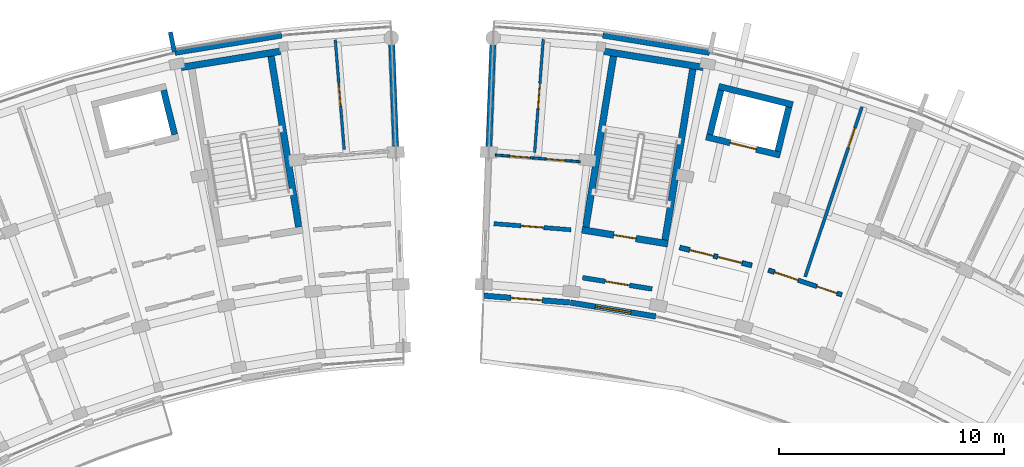
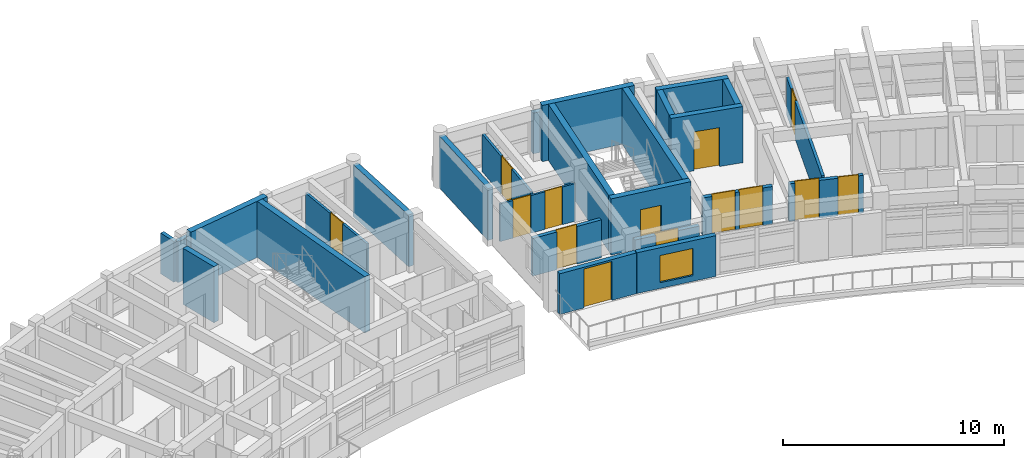
# One storey, part 23 of 38: 26 walls, 14 doors, 1 window, 15 openings.
"""IFC4 building model written with IfcOpenShell, lengths in metres."""

from ifc_helpers import new_model, si_unit, direction, frame, frame_2d, origin, place, context, subcontext, project, spatial, rectangle, extrude, material, layer, layer_set, type_object, element, fill, save


model = new_model("IFC4")

# Units and contexts
model_context = context("Model", 3, precision=1e-05, world=origin(), true_north=direction((0.0, 1.0)))
body_context = subcontext(model_context, "Body", "Model", "MODEL_VIEW")
ifc_project = project(units=[si_unit("LENGTHUNIT", "METRE"), si_unit("AREAUNIT", "SQUARE_METRE"), si_unit("VOLUMEUNIT", "CUBIC_METRE"), si_unit("PLANEANGLEUNIT", "RADIAN"), si_unit("MASSUNIT", "GRAM", prefix="KILO")], contexts=[model_context])

# Site, building, storey
site_placement = place(None, origin())
site = spatial("IfcSite", under=ifc_project, at=site_placement, CompositionType="ELEMENT")
building_placement = place(site_placement, origin())
building = spatial("IfcBuilding", under=site, at=building_placement, Name="Zimvara Arc Housing Community", CompositionType="ELEMENT")
storey_placement = place(building_placement, frame((0.0, 0.0, 29.800048828125)))
storey = spatial("IfcBuildingStorey", under=building, at=storey_placement, Name="L09", CompositionType="ELEMENT", Elevation=29.800048828125)

# Wall
ifc_material_1 = material(Name="Board-Marked Fair-Faced Concrete C35/45", Category="concrete")
ifc_layer_1 = layer(ifc_material_1, 0.195068359375)
ifc_layer_set_1 = layer_set([ifc_layer_1], Name="Board-Marked Fair-Faced Concrete C35/45")
wall_type_1 = type_object("IfcWallType", Name="EWL-PARA-195", PredefinedType="PARAPET", material=ifc_layer_set_1)
wall_1_placement = place(storey_placement, frame((33.092529296875, 102.714599609375, 0.0), z_axis=(0.0, 0.0, 1.0), x_axis=(-0.200183211319, 0.979758481416, 0.0)))
element("IfcWall", 1, at=wall_1_placement, inside=storey, type_object=wall_type_1, Name="finwall:blkA:L09:out:b8", PredefinedType="PARAPET", context=body_context, shape_type="SweptSolid", body=[
    extrude(rectangle(XDim=0.900146484375, YDim=0.195068359375, at=frame_2d((0.4501953125, 0.0))), origin(), (0.0, 0.0, 1.0), 2.25),
])

# Wall, opening, door
ifc_material_2 = material(Name="Pigmented Fair-Faced Concrete C35/45", Category="concrete")
ifc_layer_2 = layer(ifc_material_2, 0.2451171875)
ifc_layer_set_2 = layer_set([ifc_layer_2], Name="Pigmented Fair-Faced Concrete C35/45")
wall_type_2 = type_object("IfcWallType", Name="EWL-PIGM-245", PredefinedType="SOLIDWALL", material=ifc_layer_set_2)
wall_2_placement = place(storey_placement, frame((46.84033203125, 91.883544921875, 0.0), z_axis=(0.0, 0.0, 1.0), x_axis=(0.996859487839, -0.07919066552, 0.0)))
wall_2 = element("IfcWall", 2, at=wall_2_placement, inside=storey, type_object=wall_type_2, Name="ewall:blkB:L09:in:b0", PredefinedType="SOLIDWALL", context=body_context, shape_type="SweptSolid", body=[
    extrude(rectangle(XDim=3.83203125, YDim=0.2451171875, at=frame_2d((1.916015625, 0.0))), origin(), (0.0, 0.0, 1.0), 2.25),
])
opening_1_placement = place(wall_2_placement, frame((1.216064453125, 0.0, 0.0)))
opening_1 = element("IfcOpeningElement", 3, at=opening_1_placement, cuts=wall_2, Name="Opening ED07", PredefinedType="OPENING", context=body_context, shape_type="SweptSolid", body=[
    extrude(rectangle(XDim=1.39990234375, YDim=2.14990234375, at=frame_2d((0.699951171875, 1.074951171875))), frame((0.0, 0.132568359375, 0.0), z_axis=(0.0, -1.0, 0.0), x_axis=(1.0, 0.0, 0.0)), (0.0, 0.0, 1.0), 0.26513671875),
])
ifc_material_3 = material(Name="Anodised Aluminium AW-6063", Category="aluminium")
door_type_1 = type_object("IfcDoorType", Name="EDR-TERR-1400x2150", OperationType="DOUBLE_DOOR_SINGLE_SWING", PredefinedType="DOOR", material=ifc_material_3)
door_1_placement = place(opening_1_placement, origin())
door_1 = element("IfcDoor", 4, at=door_1_placement, inside=storey, type_object=door_type_1, Name="edoor:blkB:L09:terr:b0", OperationType="DOUBLE_DOOR_SINGLE_SWING", OverallHeight=2.14990234375, OverallWidth=1.39990234375, PredefinedType="DOOR", context=body_context, shape_type="SweptSolid", body=[
    extrude(rectangle(XDim=1.39990234375, YDim=2.14990234375, at=frame_2d((0.699951171875, 1.074951171875))), frame((0.0, 0.02490234375, 0.0), z_axis=(0.0, -1.0, 0.0), x_axis=(1.0, 0.0, 0.0)), (0.0, 0.0, 1.0), 0.050048828125),
])
fill(opening_1, door_1)

# Wall, opening, window
wall_3_placement = place(storey_placement, frame((50.7001953125, 91.575439453125, 0.0), z_axis=(0.0, 0.0, 1.0), x_axis=(0.987080708519, -0.160223827412, 0.0)))
wall_3 = element("IfcWall", 5, at=wall_3_placement, inside=storey, type_object=wall_type_2, Name="ewall:blkB:L09:in:b1", PredefinedType="SOLIDWALL", context=body_context, shape_type="SweptSolid", body=[
    extrude(rectangle(XDim=3.832275390625, YDim=0.2451171875, at=frame_2d((1.916015625, 0.0))), origin(), (0.0, 0.0, 1.0), 2.25),
])
opening_2_placement = place(wall_3_placement, frame((1.1162109375, 0.0, 0.320068359375)))
opening_2 = element("IfcOpeningElement", 6, at=opening_2_placement, cuts=wall_3, Name="Opening W03", PredefinedType="OPENING", context=body_context, shape_type="SweptSolid", body=[
    extrude(rectangle(XDim=1.60009765625, YDim=1.5, at=frame_2d((0.800048828125, 0.75))), frame((0.0, 0.132568359375, 0.0), z_axis=(0.0, -1.0, 0.0), x_axis=(1.0, 0.0, 0.0)), (0.0, 0.0, 1.0), 0.26513671875),
])
ifc_material_4 = material(Name="Solar Control Low-E Double Glazing", Category="glass")
window_type = type_object("IfcWindowType", Name="WIN-RES-1600x1500", PartitioningType="DOUBLE_PANEL_VERTICAL", PredefinedType="WINDOW", material=ifc_material_4)
window_placement = place(opening_2_placement, origin())
window = element("IfcWindow", 7, at=window_placement, inside=storey, type_object=window_type, Name="win:blkB:L09:in:b1", OverallHeight=1.5, OverallWidth=1.60009765625, PartitioningType="DOUBLE_PANEL_VERTICAL", PredefinedType="WINDOW", context=body_context, shape_type="SweptSolid", body=[
    extrude(rectangle(XDim=1.60009765625, YDim=1.5, at=frame_2d((0.800048828125, 0.75))), frame((0.0, 0.030029296875, 0.0), z_axis=(0.0, -1.0, 0.0), x_axis=(1.0, 0.0, 0.0)), (0.0, 0.0, 1.0), 0.06005859375),
])
fill(opening_2, window)

# Walls
ifc_material_5 = material(Name="Board-Marked Fair-Faced Concrete C35/45", Category="concrete")
ifc_layer_3 = layer(ifc_material_5, 0.241943359375)
ifc_layer_set_3 = layer_set([ifc_layer_3], Name="Board-Marked Fair-Faced Concrete C35/45")
wall_type_3 = type_object("IfcWallType", Name="EWL-VAR-16", PredefinedType="SOLIDWALL", material=ifc_layer_set_3)
for number, where, z_axis, x_axis, name in (
    (8, (33.120361328125, 102.6787109375, 0.0), (0.0, 0.0, 1.0), (0.987080750493, 0.160223568819, 0.0), "ewall:blkA:L09:out:b8"),
    (9, (52.1328125, 103.44921875, 0.0), (0.0, 0.0, 1.0), (0.987080750493, -0.160223568819, 0.0), "ewall:blkB:L09:out:b1"),
):
    element("IfcWall", number, at=place(storey_placement, frame(where, z_axis=z_axis, x_axis=x_axis)), inside=storey, type_object=wall_type_3, Name=name, PredefinedType="SOLIDWALL", context=body_context, shape_type="SweptSolid", body=[
        extrude(rectangle(XDim=4.808837890625, YDim=0.241943359375, at=frame_2d((2.404296875, 0.0))), origin(), (0.0, 0.0, 1.0), 2.25),
    ])

# Wall, opening, door
ifc_material_6 = material(Name="Concrete C35/45", Category="concrete")
ifc_layer_4 = layer(ifc_material_6, 0.2099609375)
ifc_layer_set_4 = layer_set([ifc_layer_4], Name="Concrete C35/45")
wall_type_4 = type_object("IfcWallType", Name="IWL-CCF-210", PredefinedType="SOLIDWALL", material=ifc_layer_set_4)
wall_4_placement = place(storey_placement, frame((51.236328125, 92.682861328125, 0.0), z_axis=(0.0, 0.0, 1.0), x_axis=(0.98707079686, -0.160284877599, 0.0)))
wall_4 = element("IfcWall", 10, at=wall_4_placement, inside=storey, type_object=wall_type_4, Name="iwall:blkB:L09:ccf_div:b1", PredefinedType="SOLIDWALL", context=body_context, shape_type="SweptSolid", body=[
    extrude(rectangle(XDim=3.128662109375, YDim=0.2099609375, at=frame_2d((1.564453125, 0.0))), origin(), (0.0, 0.0, 1.0), 2.079833984375),
])
opening_3_placement = place(wall_4_placement, frame((1.014404296875, 0.0, 0.0)))
opening_3 = element("IfcOpeningElement", 11, at=opening_3_placement, cuts=wall_4, Name="Opening FD-CCF1", PredefinedType="OPENING", context=body_context, shape_type="SweptSolid", body=[
    extrude(rectangle(XDim=1.10009765625, YDim=2.14990234375, at=frame_2d((0.550048828125, 1.074951171875))), frame((0.0, 0.114990234375, 0.0), z_axis=(0.0, -1.0, 0.0), x_axis=(1.0, 0.0, 0.0)), (0.0, 0.0, 1.0), 0.22998046875),
])
ifc_material_7 = material(Name="Anodised Aluminium AW-6063", Category="aluminium")
door_type_2 = type_object("IfcDoorType", Name="IDR-CCF-1100x2150", OperationType="NOTDEFINED", PredefinedType="DOOR", material=ifc_material_7)
door_2_placement = place(opening_3_placement, origin())
door_2 = element("IfcDoor", 12, at=door_2_placement, inside=storey, type_object=door_type_2, Name="idoor:blkB:L09:ccf_in:b1", OperationType="SINGLE_SWING_RIGHT", OverallHeight=2.14990234375, OverallWidth=1.10009765625, PredefinedType="DOOR", context=body_context, shape_type="SweptSolid", body=[
    extrude(rectangle(XDim=1.10009765625, YDim=2.14990234375, at=frame_2d((0.550048828125, 1.074951171875))), frame((0.0, 0.02490234375, 0.0), z_axis=(0.0, -1.0, 0.0), x_axis=(1.0, 0.0, 0.0)), (0.0, 0.0, 1.0), 0.050048828125),
])
fill(opening_3, door_2)

# Wall, openings, doors
wall_5_placement = place(storey_placement, frame((55.5576171875, 94.021728515625, 0.0), z_axis=(0.0, 0.0, 1.0), x_axis=(0.970719238682, -0.240216901263, 0.0)))
wall_5 = element("IfcWall", 13, at=wall_5_placement, inside=storey, type_object=wall_type_4, Name="iwall:blkB:L09:ll_div:b2", PredefinedType="SOLIDWALL", context=body_context, shape_type="SweptSolid", body=[
    extrude(rectangle(XDim=3.2958984375, YDim=0.2099609375, at=frame_2d((1.64794921875, 0.0))), origin(), (0.0, 0.0, 1.0), 2.079833984375),
])
opening_4_placement = place(wall_5_placement, frame((0.449951171875, 0.0, 0.0)))
opening_4 = element("IfcOpeningElement", 14, at=opening_4_placement, cuts=wall_5, Name="Opening FD-CCF1", PredefinedType="OPENING", context=body_context, shape_type="SweptSolid", body=[
    extrude(rectangle(XDim=1.10009765625, YDim=2.14990234375, at=frame_2d((0.550048828125, 1.074951171875))), frame((0.0, 0.114990234375, 0.0), z_axis=(0.0, -1.0, 0.0), x_axis=(1.0, 0.0, 0.0)), (0.0, 0.0, 1.0), 0.22998046875),
])
opening_5_placement = place(wall_5_placement, frame((1.72607421875, 0.0, 0.0)))
opening_5 = element("IfcOpeningElement", 15, at=opening_5_placement, cuts=wall_5, Name="Opening D07", PredefinedType="OPENING", context=body_context, shape_type="SweptSolid", body=[
    extrude(rectangle(XDim=1.1201171875, YDim=2.14990234375, at=frame_2d((0.56005859375, 1.074951171875))), frame((0.0, 0.114990234375, 0.0), z_axis=(0.0, -1.0, 0.0), x_axis=(1.0, 0.0, 0.0)), (0.0, 0.0, 1.0), 0.22998046875),
])
ifc_material_8 = material(Name="Mozambican Hardwood", Category="wood")
door_type_3 = type_object("IfcDoorType", Name="IDR-AMN-1120x2150", OperationType="NOTDEFINED", PredefinedType="DOOR", material=ifc_material_8)
door_3_placement = place(opening_5_placement, origin())
door_3 = element("IfcDoor", 16, at=door_3_placement, inside=storey, type_object=door_type_3, Name="idoor:blkB:L09:rs_in:b2", OperationType="SINGLE_SWING_RIGHT", OverallHeight=2.14990234375, OverallWidth=1.1201171875, PredefinedType="DOOR", context=body_context, shape_type="SweptSolid", body=[
    extrude(rectangle(XDim=1.1201171875, YDim=2.14990234375, at=frame_2d((0.56005859375, 1.074951171875))), frame((0.0, 0.02490234375, 0.0), z_axis=(0.0, -1.0, 0.0), x_axis=(1.0, 0.0, 0.0)), (0.0, 0.0, 1.0), 0.050048828125),
])
fill(opening_5, door_3)
door_4_placement = place(opening_4_placement, origin())
door_4 = element("IfcDoor", 17, at=door_4_placement, inside=storey, type_object=door_type_2, Name="idoor:blkB:L09:ll_in:b2", OperationType="SINGLE_SWING_LEFT", OverallHeight=2.14990234375, OverallWidth=1.10009765625, PredefinedType="DOOR", context=body_context, shape_type="SweptSolid", body=[
    extrude(rectangle(XDim=1.10009765625, YDim=2.14990234375, at=frame_2d((0.550048828125, 1.074951171875))), frame((0.0, 0.02490234375, 0.0), z_axis=(0.0, -1.0, 0.0), x_axis=(1.0, 0.0, 0.0)), (0.0, 0.0, 1.0), 0.050048828125),
])
fill(opening_4, door_4)

# Wall, opening, door
ifc_material_9 = material(Name="Concrete C35/45", Category="concrete")
ifc_layer_5 = layer(ifc_material_9, 0.18994140625)
ifc_layer_set_5 = layer_set([ifc_layer_5], Name="Concrete C35/45")
wall_type_5 = type_object("IfcWallType", Name="IWL-CORR-190", PredefinedType="SOLIDWALL", material=ifc_layer_set_5)
wall_6_placement = place(storey_placement, frame((47.293212890625, 95.0849609375, 0.0), z_axis=(0.0, 0.0, 1.0), x_axis=(0.996862545573, -0.079152165058, 0.0)))
wall_6 = element("IfcWall", 18, at=wall_6_placement, inside=storey, type_object=wall_type_5, Name="iwall:blkB:L09:corr_out:b0", PredefinedType="SOLIDWALL", context=body_context, shape_type="SweptSolid", body=[
    extrude(rectangle(XDim=3.43603515625, YDim=0.18994140625, at=frame_2d((1.718017578125, 0.0))), origin(), (0.0, 0.0, 1.0), 2.079833984375),
])
opening_6_placement = place(wall_6_placement, frame((1.2080078125, 0.0, 0.0)))
opening_6 = element("IfcOpeningElement", 19, at=opening_6_placement, cuts=wall_6, Name="Opening FD-FL2", PredefinedType="OPENING", context=body_context, shape_type="SweptSolid", body=[
    extrude(rectangle(XDim=1.02001953125, YDim=2.14990234375, at=frame_2d((0.510009765625, 1.074951171875))), frame((0.0, 0.10498046875, 0.0), z_axis=(0.0, -1.0, 0.0), x_axis=(1.0, 0.0, 0.0)), (0.0, 0.0, 1.0), 0.2099609375),
])
ifc_material_10 = material(Name="Mozambican Hardwood", Category="wood")
door_type_4 = type_object("IfcDoorType", Name="IDR-FLAT-1020x2150", OperationType="NOTDEFINED", PredefinedType="DOOR", material=ifc_material_10)
door_5_placement = place(opening_6_placement, origin())
door_5 = element("IfcDoor", 20, at=door_5_placement, inside=storey, type_object=door_type_4, Name="idoor:blkB:L09:flat:b0", OperationType="SINGLE_SWING_RIGHT", OverallHeight=2.14990234375, OverallWidth=1.02001953125, PredefinedType="DOOR", context=body_context, shape_type="SweptSolid", body=[
    extrude(rectangle(XDim=1.02001953125, YDim=2.14990234375, at=frame_2d((0.510009765625, 1.074951171875))), frame((0.0, 0.02490234375, 0.0), z_axis=(0.0, -1.0, 0.0), x_axis=(1.0, 0.0, 0.0)), (0.0, 0.0, 1.0), 0.050048828125),
])
fill(opening_6, door_5)

# Wall, openings, doors
wall_7_placement = place(storey_placement, frame((59.49658203125, 93.017578125, 0.0), z_axis=(0.0, 0.0, 1.0), x_axis=(0.947863007629, -0.318678080151, 0.0)))
wall_7 = element("IfcWall", 21, at=wall_7_placement, inside=storey, type_object=wall_type_5, Name="iwall:blkB:L09:corr_out:b3", PredefinedType="SOLIDWALL", context=body_context, shape_type="SweptSolid", body=[
    extrude(rectangle(XDim=3.43603515625, YDim=0.18994140625, at=frame_2d((1.718017578125, 0.0))), origin(), (0.0, 0.0, 1.0), 2.079833984375),
])
opening_7_placement = place(wall_7_placement, frame((0.280029296875, 0.0, 0.0)))
opening_7 = element("IfcOpeningElement", 22, at=opening_7_placement, cuts=wall_7, Name="Opening D07", PredefinedType="OPENING", context=body_context, shape_type="SweptSolid", body=[
    extrude(rectangle(XDim=1.1201171875, YDim=2.14990234375, at=frame_2d((0.56005859375, 1.074951171875))), frame((0.0, 0.10498046875, 0.0), z_axis=(0.0, -1.0, 0.0), x_axis=(1.0, 0.0, 0.0)), (0.0, 0.0, 1.0), 0.2099609375),
])
opening_8_placement = place(wall_7_placement, frame((2.26611328125, 0.0, 0.0)))
opening_8 = element("IfcOpeningElement", 23, at=opening_8_placement, cuts=wall_7, Name="Opening D06", PredefinedType="OPENING", context=body_context, shape_type="SweptSolid", body=[
    extrude(rectangle(XDim=0.949951171875, YDim=2.10009765625, at=frame_2d((0.47509765625, 1.050048828125))), frame((0.0, 0.10498046875, 0.0), z_axis=(0.0, -1.0, 0.0), x_axis=(1.0, 0.0, 0.0)), (0.0, 0.0, 1.0), 0.2099609375),
])
door_6_placement = place(opening_7_placement, origin())
door_6 = element("IfcDoor", 24, at=door_6_placement, inside=storey, type_object=door_type_3, Name="idoor:blkB:L09:amen:b3", OperationType="SINGLE_SWING_LEFT", OverallHeight=2.14990234375, OverallWidth=1.1201171875, PredefinedType="DOOR", context=body_context, shape_type="SweptSolid", body=[
    extrude(rectangle(XDim=1.1201171875, YDim=2.14990234375, at=frame_2d((0.56005859375, 1.074951171875))), frame((0.0, 0.02490234375, 0.0), z_axis=(0.0, -1.0, 0.0), x_axis=(1.0, 0.0, 0.0)), (0.0, 0.0, 1.0), 0.050048828125),
])
fill(opening_7, door_6)
ifc_material_11 = material(Name="Mozambican Hardwood", Category="wood")
door_type_5 = type_object("IfcDoorType", Name="IDR-AWC-0950x2100", OperationType="NOTDEFINED", PredefinedType="DOOR", material=ifc_material_11)
door_7_placement = place(opening_8_placement, origin())
door_7 = element("IfcDoor", 25, at=door_7_placement, inside=storey, type_object=door_type_5, Name="idoor:blkB:L09:cawc:b3", OperationType="SINGLE_SWING_RIGHT", OverallHeight=2.10009765625, OverallWidth=0.949951171875, PredefinedType="DOOR", context=body_context, shape_type="SweptSolid", body=[
    extrude(rectangle(XDim=0.949951171875, YDim=2.10009765625, at=frame_2d((0.47509765625, 1.050048828125))), frame((0.0, 0.02490234375, 0.0), z_axis=(0.0, -1.0, 0.0), x_axis=(1.0, 0.0, 0.0)), (0.0, 0.0, 1.0), 0.050048828125),
])
fill(opening_8, door_7)

ifc_material_12 = material(Name="Painted Acoustic Plasterboard")
ifc_layer_6 = layer(ifc_material_12, 0.10009765625)
ifc_layer_set_6 = layer_set([ifc_layer_6], Name="Painted Acoustic Plasterboard")
wall_type_6 = type_object("IfcWallType", Name="IWL-PART-100", PredefinedType="PARTITIONING", material=ifc_layer_set_6)
wall_8_placement = place(storey_placement, frame((47.360595703125, 98.13671875, 0.0), z_axis=(0.0, 0.0, 1.0), x_axis=(0.996863292793, -0.079142753818, 0.0)))
wall_8 = element("IfcWall", 26, at=wall_8_placement, inside=storey, type_object=wall_type_6, Name="iwall:blkB:L09:srv:b0", PredefinedType="PARTITIONING", context=body_context, shape_type="SweptSolid", body=[
    extrude(rectangle(XDim=3.78515625, YDim=0.10009765625, at=frame_2d((1.892578125, 0.0))), origin(), (0.0, 0.0, 1.0), 2.079833984375),
])
opening_9_placement = place(wall_8_placement, frame((0.64990234375, 0.0, 0.0)))
opening_9 = element("IfcOpeningElement", 27, at=opening_9_placement, cuts=wall_8, Name="Opening D01", PredefinedType="OPENING", context=body_context, shape_type="SweptSolid", body=[
    extrude(rectangle(XDim=0.89990234375, YDim=2.10009765625, at=frame_2d((0.449951171875, 1.050048828125))), frame((0.0, 0.06005859375, 0.0), z_axis=(0.0, -1.0, 0.0), x_axis=(1.0, 0.0, 0.0)), (0.0, 0.0, 1.0), 0.1201171875),
])
opening_10_placement = place(wall_8_placement, frame((2.255126953125, 0.0, 0.0)))
opening_10 = element("IfcOpeningElement", 28, at=opening_10_placement, cuts=wall_8, Name="Opening D05", PredefinedType="OPENING", context=body_context, shape_type="SweptSolid", body=[
    extrude(rectangle(XDim=0.8798828125, YDim=2.10009765625, at=frame_2d((0.43994140625, 1.050048828125))), frame((0.0, 0.06005859375, 0.0), z_axis=(0.0, -1.0, 0.0), x_axis=(1.0, 0.0, 0.0)), (0.0, 0.0, 1.0), 0.1201171875),
])
ifc_material_13 = material(Name="Mozambican Hardwood", Category="wood")
door_type_6 = type_object("IfcDoorType", Name="IDR-RM-0900x2100", OperationType="NOTDEFINED", PredefinedType="DOOR", material=ifc_material_13)
door_8_placement = place(opening_9_placement, origin())
door_8 = element("IfcDoor", 29, at=door_8_placement, inside=storey, type_object=door_type_6, Name="idoor:blkB:L09:kit_liv:b0", OperationType="SINGLE_SWING_LEFT", OverallHeight=2.10009765625, OverallWidth=0.89990234375, PredefinedType="DOOR", context=body_context, shape_type="SweptSolid", body=[
    extrude(rectangle(XDim=0.89990234375, YDim=2.10009765625, at=frame_2d((0.449951171875, 1.050048828125))), frame((0.0, 0.02490234375, 0.0), z_axis=(0.0, -1.0, 0.0), x_axis=(1.0, 0.0, 0.0)), (0.0, 0.0, 1.0), 0.050048828125),
])
fill(opening_9, door_8)
ifc_material_14 = material(Name="Mozambican Hardwood", Category="wood")
door_type_7 = type_object("IfcDoorType", Name="IDR-WC-0880x2100", OperationType="NOTDEFINED", PredefinedType="DOOR", material=ifc_material_14)
door_9_placement = place(opening_10_placement, origin())
door_9 = element("IfcDoor", 30, at=door_9_placement, inside=storey, type_object=door_type_7, Name="idoor:blkB:L09:bath_d:b0", OperationType="SINGLE_SWING_RIGHT", OverallHeight=2.10009765625, OverallWidth=0.8798828125, PredefinedType="DOOR", context=body_context, shape_type="SweptSolid", body=[
    extrude(rectangle(XDim=0.8798828125, YDim=2.10009765625, at=frame_2d((0.43994140625, 1.050048828125))), frame((0.0, 0.02490234375, 0.0), z_axis=(0.0, -1.0, 0.0), x_axis=(1.0, 0.0, 0.0)), (0.0, 0.0, 1.0), 0.050048828125),
])
fill(opening_10, door_9)

# Wall, opening, door
ifc_material_15 = material(Name="Painted Acoustic Plasterboard")
ifc_layer_7 = layer(ifc_material_15, 0.1201171875)
ifc_layer_set_7 = layer_set([ifc_layer_7], Name="Painted Acoustic Plasterboard")
wall_type_7 = type_object("IfcWallType", Name="IWL-PART-120", PredefinedType="PARTITIONING", material=ifc_layer_set_7)
wall_9_placement = place(storey_placement, frame((40.640380859375, 98.373779296875, 0.0), z_axis=(0.0, 0.0, 1.0), x_axis=(-0.080666032472, 0.996741185667, 0.0)))
wall_9 = element("IfcWall", 31, at=wall_9_placement, inside=storey, type_object=wall_type_7, Name="iwall:blkA:L09:bed_div:b9", PredefinedType="PARTITIONING", context=body_context, shape_type="SweptSolid", body=[
    extrude(rectangle(XDim=4.89990234375, YDim=0.1201171875, at=frame_2d((2.449951171875, 0.0))), origin(), (0.0, 0.0, 1.0), 2.079833984375),
])
opening_11_placement = place(wall_9_placement, frame((1.945068359375, 0.0, 0.0)))
opening_11 = element("IfcOpeningElement", 32, at=opening_11_placement, cuts=wall_9, Name="Opening D15", PredefinedType="OPENING", context=body_context, shape_type="SweptSolid", body=[
    extrude(rectangle(XDim=1.010009765625, YDim=2.10009765625, at=frame_2d((0.5048828125, 1.050048828125))), frame((0.0, 0.070068359375, 0.0), z_axis=(0.0, -1.0, 0.0), x_axis=(1.0, 0.0, 0.0)), (0.0, 0.0, 1.0), 0.14013671875),
])
ifc_material_16 = material(Name="Mozambican Hardwood", Category="wood")
door_type_8 = type_object("IfcDoorType", Name="IDR-MOD-1010x2160", OperationType="NOTDEFINED", PredefinedType="DOOR", material=ifc_material_16)
door_10_placement = place(opening_11_placement, origin())
door_10 = element("IfcDoor", 33, at=door_10_placement, inside=storey, type_object=door_type_8, Name="idoor:blkA:L09:bed_d:b9", OperationType="SINGLE_SWING_LEFT", OverallHeight=2.10009765625, OverallWidth=1.010009765625, PredefinedType="DOOR", context=body_context, shape_type="SweptSolid", body=[
    extrude(rectangle(XDim=1.010009765625, YDim=2.10009765625, at=frame_2d((0.5048828125, 1.050048828125))), frame((0.0, 0.02490234375, 0.0), z_axis=(0.0, -1.0, 0.0), x_axis=(1.0, 0.0, 0.0)), (0.0, 0.0, 1.0), 0.050048828125),
])
fill(opening_11, door_10)

wall_10_placement = place(storey_placement, frame((49.1044921875, 98.243408203125, 0.0), z_axis=(0.0, 0.0, 1.0), x_axis=(0.076141951799, 0.997096987848, 0.0)))
wall_10 = element("IfcWall", 34, at=wall_10_placement, inside=storey, type_object=wall_type_7, Name="iwall:blkB:L09:bed_div:b0", PredefinedType="PARTITIONING", context=body_context, shape_type="SweptSolid", body=[
    extrude(rectangle(XDim=5.050048828125, YDim=0.1201171875, at=frame_2d((2.52490234375, 0.0))), origin(), (0.0, 0.0, 1.0), 2.079833984375),
])
opening_12_placement = place(wall_10_placement, frame((1.9599609375, 0.0, 0.0)))
opening_12 = element("IfcOpeningElement", 35, at=opening_12_placement, cuts=wall_10, Name="Opening D17", PredefinedType="OPENING", context=body_context, shape_type="SweptSolid", body=[
    extrude(rectangle(XDim=1.1298828125, YDim=2.10009765625, at=frame_2d((0.56494140625, 1.050048828125))), frame((0.0, 0.070068359375, 0.0), z_axis=(0.0, -1.0, 0.0), x_axis=(1.0, 0.0, 0.0)), (0.0, 0.0, 1.0), 0.14013671875),
])
ifc_material_17 = material(Name="Mozambican Hardwood", Category="wood")
door_type_9 = type_object("IfcDoorType", Name="IDR-MOD-1130x2240", OperationType="NOTDEFINED", PredefinedType="DOOR", material=ifc_material_17)
door_11_placement = place(opening_12_placement, origin())
door_11 = element("IfcDoor", 36, at=door_11_placement, inside=storey, type_object=door_type_9, Name="idoor:blkB:L09:bed_d:b0", OperationType="SINGLE_SWING_LEFT", OverallHeight=2.10009765625, OverallWidth=1.1298828125, PredefinedType="DOOR", context=body_context, shape_type="SweptSolid", body=[
    extrude(rectangle(XDim=1.1298828125, YDim=2.10009765625, at=frame_2d((0.56494140625, 1.050048828125))), frame((0.0, 0.02490234375, 0.0), z_axis=(0.0, -1.0, 0.0), x_axis=(1.0, 0.0, 0.0)), (0.0, 0.0, 1.0), 0.050048828125),
])
fill(opening_12, door_11)

ifc_material_18 = material(Name="Painted Acoustic Plasterboard")
ifc_layer_8 = layer(ifc_material_18, 0.139892578125)
ifc_layer_set_8 = layer_set([ifc_layer_8], Name="Painted Acoustic Plasterboard")
wall_type_8 = type_object("IfcWallType", Name="IWL-PART-140", PredefinedType="PARTITIONING", material=ifc_layer_set_8)
wall_11_placement = place(storey_placement, frame((61.129638671875, 92.72412109375, 0.0), z_axis=(0.0, 0.0, 1.0), x_axis=(0.317204178278, 0.948357268798, 0.0)))
wall_11 = element("IfcWall", 37, at=wall_11_placement, inside=storey, type_object=wall_type_8, Name="iwall:blkB:L09:amen_div:b3", PredefinedType="PARTITIONING", context=body_context, shape_type="SweptSolid", body=[
    extrude(rectangle(XDim=7.949951171875, YDim=0.139892578125, at=frame_2d((3.97509765625, 0.0))), origin(), (0.0, 0.0, 1.0), 2.079833984375),
])
opening_13_placement = place(wall_11_placement, frame((6.050048828125, 0.0, 0.0)))
opening_13 = element("IfcOpeningElement", 38, at=opening_13_placement, cuts=wall_11, Name="Opening D02", PredefinedType="OPENING", context=body_context, shape_type="SweptSolid", body=[
    extrude(rectangle(XDim=0.919921875, YDim=2.10009765625, at=frame_2d((0.4599609375, 1.050048828125))), frame((0.0, 0.079833984375, 0.0), z_axis=(0.0, -1.0, 0.0), x_axis=(1.0, 0.0, 0.0)), (0.0, 0.0, 1.0), 0.159912109375),
])
ifc_material_19 = material(Name="Mozambican Hardwood", Category="wood")
door_type_10 = type_object("IfcDoorType", Name="IDR-RM-0920x2100", OperationType="NOTDEFINED", PredefinedType="DOOR", material=ifc_material_19)
door_12_placement = place(opening_13_placement, origin())
door_12 = element("IfcDoor", 39, at=door_12_placement, inside=storey, type_object=door_type_10, Name="idoor:blkB:L09:laund_d:b3", OperationType="SINGLE_SWING_LEFT", OverallHeight=2.10009765625, OverallWidth=0.919921875, PredefinedType="DOOR", context=body_context, shape_type="SweptSolid", body=[
    extrude(rectangle(XDim=0.919921875, YDim=2.10009765625, at=frame_2d((0.4599609375, 1.050048828125))), frame((0.0, 0.02490234375, 0.0), z_axis=(0.0, -1.0, 0.0), x_axis=(1.0, 0.0, 0.0)), (0.0, 0.0, 1.0), 0.050048828125),
])
fill(opening_13, door_12)

# Wall
ifc_material_20 = material(Name="Concrete C40/50", Category="concrete")
ifc_layer_9 = layer(ifc_material_20, 0.280029296875)
ifc_layer_set_9 = layer_set([ifc_layer_9], Name="Concrete C40/50")
wall_type_9 = type_object("IfcWallType", Name="WL-CORE-280", PredefinedType="SHEAR", material=ifc_layer_set_9)
wall_12_placement = place(storey_placement, frame((33.103515625, 99.04443359375, 0.0), z_axis=(0.0, 0.0, 1.0), x_axis=(-0.240186044774, 0.970726873995, 0.0)))
element("IfcWall", 40, at=wall_12_placement, inside=storey, type_object=wall_type_9, Name="lwall:LF-A2:L09:left", PredefinedType="SHEAR", context=body_context, shape_type="SweptSolid", body=[
    extrude(rectangle(XDim=2.02978515625, YDim=0.280029296875, at=frame_2d((1.014892578125, 0.0))), origin(), (0.0, 0.0, 1.0), 3.099853515625),
])

# Wall, opening, door
wall_13_placement = place(storey_placement, frame((60.017578125, 98.127685546875, 0.0), z_axis=(0.0, 0.0, 1.0), x_axis=(-0.970707542441, 0.240264160972, 0.0)))
wall_13 = element("IfcWall", 41, at=wall_13_placement, inside=storey, type_object=wall_type_9, Name="lwall:LF-B1:L09:front", PredefinedType="SHEAR", context=body_context, shape_type="SweptSolid", body=[
    extrude(rectangle(XDim=3.389892578125, YDim=0.280029296875, at=frame_2d((1.69482421875, 0.0))), origin(), (0.0, 0.0, 1.0), 3.099853515625),
])
opening_14_placement = place(wall_13_placement, frame((1.094970703125, 0.0, 0.0)))
opening_14 = element("IfcOpeningElement", 42, at=opening_14_placement, cuts=wall_13, Name="Opening LD-LF-B1", PredefinedType="OPENING", context=body_context, shape_type="SweptSolid", body=[
    extrude(rectangle(XDim=1.199951171875, YDim=2.14990234375, at=frame_2d((0.60009765625, 1.074951171875))), frame((0.0, 0.14990234375, 0.0), z_axis=(0.0, -1.0, 0.0), x_axis=(1.0, 0.0, 0.0)), (0.0, 0.0, 1.0), 0.300048828125),
])
ifc_material_21 = material(Name="Anodised Aluminium AW-6063", Category="aluminium")
door_type_11 = type_object("IfcDoorType", Name="IDR-LD-1200x2150", OperationType="DOUBLE_DOOR_SLIDING", PredefinedType="DOOR", material=ifc_material_21)
door_13_placement = place(opening_14_placement, origin())
door_13 = element("IfcDoor", 43, at=door_13_placement, inside=storey, type_object=door_type_11, Name="Lift LF-B1 Sliding Landing Door L09", OperationType="DOUBLE_DOOR_SLIDING", OverallHeight=2.14990234375, OverallWidth=1.199951171875, PredefinedType="DOOR", context=body_context, shape_type="SweptSolid", body=[
    extrude(rectangle(XDim=1.199951171875, YDim=2.14990234375, at=frame_2d((0.60009765625, 1.074951171875))), frame((0.0, 0.02490234375, 0.0), z_axis=(0.0, -1.0, 0.0), x_axis=(1.0, 0.0, 0.0)), (0.0, 0.0, 1.0), 0.050048828125),
])
fill(opening_14, door_13)

# Walls
wall_14_placement = place(storey_placement, frame((60.572509765625, 100.3701171875, 0.0), z_axis=(0.0, 0.0, 1.0), x_axis=(-0.970711699588, 0.240247364777, 0.0)))
element("IfcWall", 44, at=wall_14_placement, inside=storey, type_object=wall_type_9, Name="lwall:LF-B1:L09:back", PredefinedType="SHEAR", context=body_context, shape_type="SweptSolid", body=[
    extrude(rectangle(XDim=3.39013671875, YDim=0.280029296875, at=frame_2d((1.695068359375, 0.0))), origin(), (0.0, 0.0, 1.0), 3.099853515625),
])
wall_15_placement = place(storey_placement, frame((59.915283203125, 98.29736328125, 0.0), z_axis=(0.0, 0.0, 1.0), x_axis=(0.2402993748, 0.970698825832, 0.0)))
element("IfcWall", 45, at=wall_15_placement, inside=storey, type_object=wall_type_9, Name="lwall:LF-B1:L09:left", PredefinedType="SHEAR", context=body_context, shape_type="SweptSolid", body=[
    extrude(rectangle(XDim=2.030029296875, YDim=0.280029296875, at=frame_2d((1.01513671875, 0.0))), origin(), (0.0, 0.0, 1.0), 3.099853515625),
])
wall_16_placement = place(storey_placement, frame((56.896484375, 99.04443359375, 0.0), z_axis=(0.0, 0.0, 1.0), x_axis=(0.240186044774, 0.970726873995, 0.0)))
element("IfcWall", 46, at=wall_16_placement, inside=storey, type_object=wall_type_9, Name="lwall:LF-B1:L09:right", PredefinedType="SHEAR", context=body_context, shape_type="SweptSolid", body=[
    extrude(rectangle(XDim=2.02978515625, YDim=0.280029296875, at=frame_2d((1.014892578125, 0.0))), origin(), (0.0, 0.0, 1.0), 3.099853515625),
])
ifc_material_22 = material(Name="Concrete C40/50", Category="concrete")
ifc_layer_10 = layer(ifc_material_22, 0.300048828125)
ifc_layer_set_10 = layer_set([ifc_layer_10], Name="Concrete C40/50")
wall_type_10 = type_object("IfcWallType", Name="WL-CORE-300", PredefinedType="SHEAR", material=ifc_layer_set_10)
wall_17_placement = place(storey_placement, frame((37.8095703125, 102.745361328125, 0.0), z_axis=(0.0, 0.0, 1.0), x_axis=(-0.987084710126, -0.160199173019, 0.0)))
element("IfcWall", 47, at=wall_17_placement, inside=storey, type_object=wall_type_10, Name="cwall:ST-A2:L09:far", PredefinedType="SHEAR", context=body_context, shape_type="SweptSolid", body=[
    extrude(rectangle(XDim=4.4697265625, YDim=0.300048828125, at=frame_2d((2.23486328125, 0.0))), origin(), (0.0, 0.0, 1.0), 3.099853515625),
])
wall_18_placement = place(storey_placement, frame((38.62158203125, 94.9345703125, 0.0), z_axis=(0.0, 0.0, 1.0), x_axis=(-0.160196564502, 0.987085133472, 0.0)))
element("IfcWall", 48, at=wall_18_placement, inside=storey, type_object=wall_type_10, Name="cwall:ST-A2:L09:left", PredefinedType="SHEAR", context=body_context, shape_type="SweptSolid", body=[
    extrude(rectangle(XDim=7.690185546875, YDim=0.300048828125, at=frame_2d((3.84521484375, 0.0))), origin(), (0.0, 0.0, 1.0), 3.099853515625),
])

# Wall, opening, door
wall_19_placement = place(storey_placement, frame((55.026123046875, 94.1904296875, 0.0), z_axis=(0.0, 0.0, 1.0), x_axis=(-0.987077443397, 0.160243941341, 0.0)))
wall_19 = element("IfcWall", 49, at=wall_19_placement, inside=storey, type_object=wall_type_10, Name="cwall:ST-B1:L09:near", PredefinedType="SHEAR", context=body_context, shape_type="SweptSolid", body=[
    extrude(rectangle(XDim=3.869873046875, YDim=0.300048828125, at=frame_2d((1.93505859375, 0.0))), origin(), (0.0, 0.0, 1.0), 3.099853515625),
])
opening_15_placement = place(wall_19_placement, frame((1.43505859375, 0.0, 0.0)))
opening_15 = element("IfcOpeningElement", 50, at=opening_15_placement, cuts=wall_19, Name="Opening FD-ST1", PredefinedType="OPENING", context=body_context, shape_type="SweptSolid", body=[
    extrude(rectangle(XDim=1.0, YDim=2.14990234375, at=frame_2d((0.5, 1.074951171875))), frame((0.0, 0.159912109375, 0.0), z_axis=(0.0, -1.0, 0.0), x_axis=(1.0, 0.0, 0.0)), (0.0, 0.0, 1.0), 0.320068359375),
])
ifc_material_23 = material(Name="Anodised Aluminium AW-6063", Category="aluminium")
door_type_12 = type_object("IfcDoorType", Name="IDR-ST-1000x2150", OperationType="NOTDEFINED", PredefinedType="DOOR", material=ifc_material_23)
door_14_placement = place(opening_15_placement, origin())
door_14 = element("IfcDoor", 51, at=door_14_placement, inside=storey, type_object=door_type_12, Name="idoor:ST-B1:L09:entry", OperationType="SINGLE_SWING_LEFT", OverallHeight=2.14990234375, OverallWidth=1.0, PredefinedType="DOOR", context=body_context, shape_type="SweptSolid", body=[
    extrude(rectangle(XDim=1.0, YDim=2.14990234375, at=frame_2d((0.5, 1.074951171875))), frame((0.0, 0.02490234375, 0.0), z_axis=(0.0, -1.0, 0.0), x_axis=(1.0, 0.0, 0.0)), (0.0, 0.0, 1.0), 0.050048828125),
])
fill(opening_15, door_14)

# Walls
wall_20_placement = place(storey_placement, frame((56.6025390625, 102.029296875, 0.0), z_axis=(0.0, 0.0, 1.0), x_axis=(-0.987084710126, 0.160199173019, 0.0)))
element("IfcWall", 52, at=wall_20_placement, inside=storey, type_object=wall_type_10, Name="cwall:ST-B1:L09:far", PredefinedType="SHEAR", context=body_context, shape_type="SweptSolid", body=[
    extrude(rectangle(XDim=4.4697265625, YDim=0.300048828125, at=frame_2d((2.23486328125, 0.0))), origin(), (0.0, 0.0, 1.0), 3.099853515625),
])
for number, where, z_axis, x_axis, name in (
    (53, (54.902099609375, 94.362548828125, 0.0), (0.0, 0.0, 1.0), (0.160227496777, 0.987080112897, 0.0), "cwall:ST-B1:L09:left"),
    (54, (51.37841796875, 94.9345703125, 0.0), (0.0, 0.0, 1.0), (0.160196564502, 0.987085133472, 0.0), "cwall:ST-B1:L09:right"),
):
    element("IfcWall", number, at=place(storey_placement, frame(where, z_axis=z_axis, x_axis=x_axis)), inside=storey, type_object=wall_type_10, Name=name, PredefinedType="SHEAR", context=body_context, shape_type="SweptSolid", body=[
        extrude(rectangle(XDim=7.690185546875, YDim=0.300048828125, at=frame_2d((3.84521484375, 0.0))), origin(), (0.0, 0.0, 1.0), 3.099853515625),
    ])
ifc_material_24 = material(Name="Concrete C40/50", Category="concrete")
ifc_layer_11 = layer(ifc_material_24, 0.27001953125)
ifc_layer_set_11 = layer_set([ifc_layer_11], Name="Concrete C40/50")
wall_type_11 = type_object("IfcWallType", Name="WL-SHEAR-270", PredefinedType="SHEAR", material=ifc_layer_set_11)
for number, where, z_axis, x_axis, name in (
    (55, (42.927734375, 98.440185546875, 0.0), (0.0, 0.0, 1.0), (-0.038379487611, 0.999263236055, 0.0), "swall:blkA:L09:east"),
    (56, (47.072265625, 98.440185546875, 0.0), (0.0, 0.0, 1.0), (0.038379487611, 0.999263236055, 0.0), "swall:blkB:L09:west"),
):
    element("IfcWall", number, at=place(storey_placement, frame(where, z_axis=z_axis, x_axis=x_axis)), inside=storey, type_object=wall_type_11, Name=name, PredefinedType="SHEAR", context=body_context, shape_type="SweptSolid", body=[
        extrude(rectangle(XDim=4.719970703125, YDim=0.27001953125, at=frame_2d((2.35986328125, 0.0))), origin(), (0.0, 0.0, 1.0), 2.85986328125),
    ])

save(model, "model.ifc")
